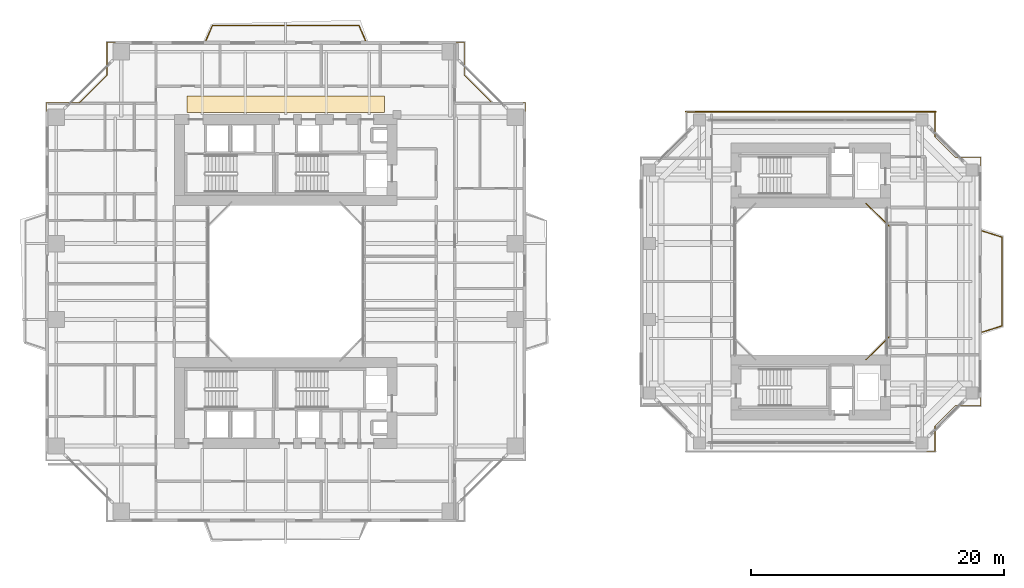
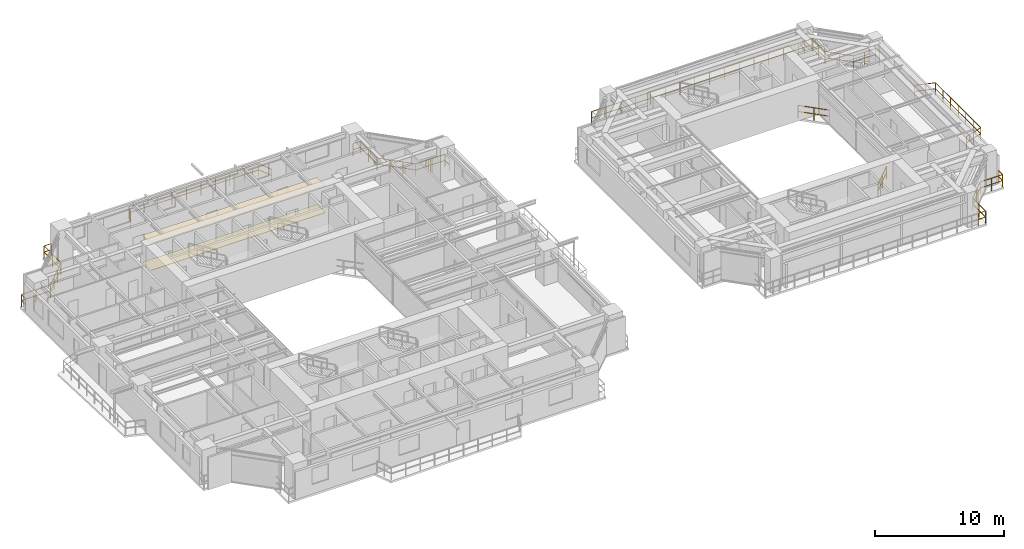
# One storey, part 23 of 23: 9 railings, 2 coverings.
"""IFC4 building model written with IfcOpenShell, lengths in metres."""

from ifc_helpers import new_model, si_unit, direction, frame, origin, origin_2d, place, context, subcontext, project, spatial, polyline, rectangle, outline, extrude, material, layer, layer_set, type_object, element, save


model = new_model("IFC4")

# Units and contexts
model_context = context("Model", 3, precision=1e-05, world=origin(), true_north=direction((0.0, 1.0)))
body_context = subcontext(model_context, "Body", "Model", "MODEL_VIEW")
ifc_project = project(units=[si_unit("LENGTHUNIT", "METRE"), si_unit("AREAUNIT", "SQUARE_METRE"), si_unit("VOLUMEUNIT", "CUBIC_METRE"), si_unit("PLANEANGLEUNIT", "RADIAN"), si_unit("MASSUNIT", "GRAM", prefix="KILO"), si_unit("THERMODYNAMICTEMPERATUREUNIT", "KELVIN"), si_unit("POWERUNIT", "WATT")], contexts=[model_context])

# Site, building, storey
site_placement = place(None, origin())
site = spatial("IfcSite", under=ifc_project, at=site_placement, CompositionType="ELEMENT")
building_placement = place(site_placement, origin())
building = spatial("IfcBuilding", under=site, at=building_placement, Name="Qiaomeng Ring Towers", CompositionType="ELEMENT")
storey_placement = place(building_placement, frame((0.0, 0.0, 66.5)))
storey = spatial("IfcBuildingStorey", under=building, at=storey_placement, Name="L18", CompositionType="ELEMENT", Elevation=66.5)

# Coverings
ifc_material_1 = material(Name="Mineral fibre acoustic ceiling tile", Category="gypsum")
ifc_layer_1 = layer(ifc_material_1, 0.02490234375, Name="Mineral fibre acoustic ceiling tile")
ifc_layer_set_1 = layer_set([ifc_layer_1], Name="Mineral fibre acoustic ceiling tile")
covering_type_1 = type_object("IfcCoveringType", Name="ARC-COV-CEIL1", PredefinedType="CEILING", material=ifc_layer_set_1)
covering_1_placement = place(storey_placement, frame((0.0, 0.0, 2.550048828125)))
element("IfcCovering", 1, at=covering_1_placement, inside=storey, type_object=covering_type_1, Name="L18 Corridor Acoustic Ceiling", PredefinedType="CEILING", context=body_context, shape_type="SweptSolid", body=[
    extrude(outline(polyline([(11.199951171875, 36.35009765625), (11.199951171875, 37.64990234375), (26.800048828125, 37.64990234375), (26.800048828125, 36.35009765625), (11.199951171875, 36.35009765625)])), origin(), (0.0, 0.0, 1.0), 0.02490234375),
])
ifc_material_2 = material(Name="Vitrified porcelain floor tile", Category="ceramic")
ifc_layer_2 = layer(ifc_material_2, 0.02001953125, Name="Vitrified porcelain floor tile")
ifc_layer_set_2 = layer_set([ifc_layer_2], Name="Vitrified porcelain floor tile")
covering_type_2 = type_object("IfcCoveringType", Name="ARC-COV-FLR1", PredefinedType="FLOORING", material=ifc_layer_set_2)
covering_2_placement = place(storey_placement, origin())
element("IfcCovering", 2, at=covering_2_placement, inside=storey, type_object=covering_type_2, Name="L18 Corridor Stone Flooring", PredefinedType="FLOORING", context=body_context, shape_type="SweptSolid", body=[
    extrude(outline(polyline([(11.199951171875, 36.35009765625), (11.199951171875, 37.64990234375), (26.800048828125, 37.64990234375), (26.800048828125, 36.35009765625), (11.199951171875, 36.35009765625)])), origin(), (0.0, 0.0, 1.0), 0.02001953125),
])

# Railings
ifc_material_3 = material(Name="Low-E pale-green laminated safety glass", Category="glass")
railing_type = type_object("IfcRailingType", Name="ARC-RL-BAL1", PredefinedType="BALUSTRADE", material=ifc_material_3)
railing_1_placement = place(storey_placement, frame((37.919921875, 36.469970703125, 0.0)))
element("IfcRailing", 3, at=railing_1_placement, inside=storey, type_object=railing_type, Name="L18 Balustrade ARC-BAL-NOTCH1-L18-NE", PredefinedType="BALUSTRADE", context=body_context, shape_type="SweptSolid", body=[
    extrude(rectangle(XDim=0.048095703125, YDim=0.048095703125, at=origin_2d()), frame((0.0, 0.0, 1.17578125), z_axis=(0.0, 1.0, 0.0), x_axis=(-1.0, 0.0, 0.0)), (0.0, 0.0, 1.0), 0.650146484375),
    extrude(rectangle(XDim=0.048095703125, YDim=0.048095703125, at=origin_2d()), frame((0.0, 0.0, 0.60009765625), z_axis=(0.0, 1.0, 0.0), x_axis=(-1.0, 0.0, 0.0)), (0.0, 0.0, 1.0), 0.650146484375),
    extrude(rectangle(XDim=0.048095703125, YDim=0.048095703125, at=origin_2d()), frame((0.0, 0.650146484375, 1.17578125), z_axis=(-1.0, 0.0, 0.0), x_axis=(0.0, -1.0, 0.0)), (0.0, 0.0, 1.0), 2.599853515625),
    extrude(rectangle(XDim=0.048095703125, YDim=0.048095703125, at=origin_2d()), frame((0.0, 0.650146484375, 0.60009765625), z_axis=(-1.0, 0.0, 0.0), x_axis=(0.0, -1.0, 0.0)), (0.0, 0.0, 1.0), 2.599853515625),
    extrude(rectangle(XDim=0.048095703125, YDim=0.048095703125, at=origin_2d()), frame((-2.599853515625, 0.650146484375, 1.17578125), z_axis=(-0.707106781187, 0.707106781187, 0.0), x_axis=(-0.707106781187, -0.707106781187, 0.0)), (0.0, 0.0, 1.0), 3.111083984375),
    extrude(rectangle(XDim=0.048095703125, YDim=0.048095703125, at=origin_2d()), frame((-2.599853515625, 0.650146484375, 0.60009765625), z_axis=(-0.707106781187, 0.707106781187, 0.0), x_axis=(-0.707106781187, -0.707106781187, 0.0)), (0.0, 0.0, 1.0), 3.111083984375),
    extrude(rectangle(XDim=0.048095703125, YDim=0.048095703125, at=origin_2d()), frame((-4.7998046875, 2.85009765625, 1.17578125), z_axis=(0.0, 1.0, 0.0), x_axis=(-1.0, 0.0, 0.0)), (0.0, 0.0, 1.0), 2.599853515625),
    extrude(rectangle(XDim=0.048095703125, YDim=0.048095703125, at=origin_2d()), frame((-4.7998046875, 2.85009765625, 0.60009765625), z_axis=(0.0, 1.0, 0.0), x_axis=(-1.0, 0.0, 0.0)), (0.0, 0.0, 1.0), 2.599853515625),
    extrude(rectangle(XDim=0.048095703125, YDim=0.048095703125, at=origin_2d()), frame((-4.7998046875, 5.449951171875, 1.17578125), z_axis=(-1.0, 0.0, 0.0), x_axis=(0.0, -1.0, 0.0)), (0.0, 0.0, 1.0), 0.650146484375),
    extrude(rectangle(XDim=0.048095703125, YDim=0.048095703125, at=origin_2d()), frame((-4.7998046875, 5.449951171875, 0.60009765625), z_axis=(-1.0, 0.0, 0.0), x_axis=(0.0, -1.0, 0.0)), (0.0, 0.0, 1.0), 0.650146484375),
    extrude(rectangle(XDim=0.0419921875, YDim=0.0419921875, at=origin_2d()), origin(), (0.0, 0.0, 1.0), 1.15185546875),
    extrude(rectangle(XDim=0.0419921875, YDim=0.0419921875, at=origin_2d()), frame((0.0, 0.650146484375, 0.0)), (0.0, 0.0, 1.0), 1.15185546875),
    extrude(rectangle(XDim=0.0419921875, YDim=0.0419921875, at=origin_2d()), frame((-1.2998046875, 0.650146484375, 0.0)), (0.0, 0.0, 1.0), 1.15185546875),
    extrude(rectangle(XDim=0.0419921875, YDim=0.0419921875, at=origin_2d()), frame((-2.599853515625, 0.650146484375, 0.0)), (0.0, 0.0, 1.0), 1.15185546875),
    extrude(rectangle(XDim=0.0419921875, YDim=0.0419921875, at=origin_2d()), frame((-3.333251953125, 1.383544921875, 0.0)), (0.0, 0.0, 1.0), 1.15185546875),
    extrude(rectangle(XDim=0.0419921875, YDim=0.0419921875, at=origin_2d()), frame((-4.06640625, 2.11669921875, 0.0)), (0.0, 0.0, 1.0), 1.15185546875),
    extrude(rectangle(XDim=0.0419921875, YDim=0.0419921875, at=origin_2d()), frame((-4.7998046875, 2.85009765625, 0.0)), (0.0, 0.0, 1.0), 1.15185546875),
    extrude(rectangle(XDim=0.0419921875, YDim=0.0419921875, at=origin_2d()), frame((-4.7998046875, 4.14990234375, 0.0)), (0.0, 0.0, 1.0), 1.15185546875),
    extrude(rectangle(XDim=0.0419921875, YDim=0.0419921875, at=origin_2d()), frame((-4.7998046875, 5.449951171875, 0.0)), (0.0, 0.0, 1.0), 1.15185546875),
    extrude(rectangle(XDim=0.0419921875, YDim=0.0419921875, at=origin_2d()), frame((-5.449951171875, 5.449951171875, 0.0)), (0.0, 0.0, 1.0), 1.15185546875),
])
railing_2_placement = place(storey_placement, frame((5.530029296875, 41.919921875, 0.0)))
element("IfcRailing", 4, at=railing_2_placement, inside=storey, type_object=railing_type, Name="L18 Balustrade ARC-BAL-NOTCH1-L18-NW", PredefinedType="BALUSTRADE", context=body_context, shape_type="SweptSolid", body=[
    extrude(rectangle(XDim=0.048095703125, YDim=0.048095703125, at=origin_2d()), frame((0.0, 0.0, 1.17578125), z_axis=(-1.0, 0.0, 0.0), x_axis=(0.0, -1.0, 0.0)), (0.0, 0.0, 1.0), 0.650146484375),
    extrude(rectangle(XDim=0.048095703125, YDim=0.048095703125, at=origin_2d()), frame((0.0, 0.0, 0.60009765625), z_axis=(-1.0, 0.0, 0.0), x_axis=(0.0, -1.0, 0.0)), (0.0, 0.0, 1.0), 0.650146484375),
    extrude(rectangle(XDim=0.048095703125, YDim=0.048095703125, at=origin_2d()), frame((-0.650146484375, 0.0, 1.17578125), z_axis=(0.0, -1.0, 0.0), x_axis=(1.0, 0.0, 0.0)), (0.0, 0.0, 1.0), 2.599853515625),
    extrude(rectangle(XDim=0.048095703125, YDim=0.048095703125, at=origin_2d()), frame((-0.650146484375, 0.0, 0.60009765625), z_axis=(0.0, -1.0, 0.0), x_axis=(1.0, 0.0, 0.0)), (0.0, 0.0, 1.0), 2.599853515625),
    extrude(rectangle(XDim=0.048095703125, YDim=0.048095703125, at=origin_2d()), frame((-0.650146484375, -2.599853515625, 1.17578125), z_axis=(-0.707106781187, -0.707106781187, 0.0), x_axis=(0.707106781187, -0.707106781187, 0.0)), (0.0, 0.0, 1.0), 3.111083984375),
    extrude(rectangle(XDim=0.048095703125, YDim=0.048095703125, at=origin_2d()), frame((-0.650146484375, -2.599853515625, 0.60009765625), z_axis=(-0.707106781187, -0.707106781187, 0.0), x_axis=(0.707106781187, -0.707106781187, 0.0)), (0.0, 0.0, 1.0), 3.111083984375),
    extrude(rectangle(XDim=0.048095703125, YDim=0.048095703125, at=origin_2d()), frame((-2.85009765625, -4.7998046875, 1.17578125), z_axis=(-1.0, 0.0, 0.0), x_axis=(0.0, -1.0, 0.0)), (0.0, 0.0, 1.0), 2.599853515625),
    extrude(rectangle(XDim=0.048095703125, YDim=0.048095703125, at=origin_2d()), frame((-2.85009765625, -4.7998046875, 0.60009765625), z_axis=(-1.0, 0.0, 0.0), x_axis=(0.0, -1.0, 0.0)), (0.0, 0.0, 1.0), 2.599853515625),
    extrude(rectangle(XDim=0.048095703125, YDim=0.048095703125, at=origin_2d()), frame((-5.449951171875, -4.7998046875, 1.17578125), z_axis=(0.0, -1.0, 0.0), x_axis=(1.0, 0.0, 0.0)), (0.0, 0.0, 1.0), 0.650146484375),
    extrude(rectangle(XDim=0.048095703125, YDim=0.048095703125, at=origin_2d()), frame((-5.449951171875, -4.7998046875, 0.60009765625), z_axis=(0.0, -1.0, 0.0), x_axis=(1.0, 0.0, 0.0)), (0.0, 0.0, 1.0), 0.650146484375),
    extrude(rectangle(XDim=0.0419921875, YDim=0.0419921875, at=origin_2d()), origin(), (0.0, 0.0, 1.0), 1.15185546875),
    extrude(rectangle(XDim=0.0419921875, YDim=0.0419921875, at=origin_2d()), frame((-0.650146484375, 0.0, 0.0)), (0.0, 0.0, 1.0), 1.15185546875),
    extrude(rectangle(XDim=0.0419921875, YDim=0.0419921875, at=origin_2d()), frame((-0.650146484375, -1.2998046875, 0.0)), (0.0, 0.0, 1.0), 1.15185546875),
    extrude(rectangle(XDim=0.0419921875, YDim=0.0419921875, at=origin_2d()), frame((-0.650146484375, -2.599853515625, 0.0)), (0.0, 0.0, 1.0), 1.15185546875),
    extrude(rectangle(XDim=0.0419921875, YDim=0.0419921875, at=origin_2d()), frame((-1.383544921875, -3.333251953125, 0.0)), (0.0, 0.0, 1.0), 1.15185546875),
    extrude(rectangle(XDim=0.0419921875, YDim=0.0419921875, at=origin_2d()), frame((-2.11669921875, -4.06640625, 0.0)), (0.0, 0.0, 1.0), 1.15185546875),
    extrude(rectangle(XDim=0.0419921875, YDim=0.0419921875, at=origin_2d()), frame((-2.85009765625, -4.7998046875, 0.0)), (0.0, 0.0, 1.0), 1.15185546875),
    extrude(rectangle(XDim=0.0419921875, YDim=0.0419921875, at=origin_2d()), frame((-4.14990234375, -4.7998046875, 0.0)), (0.0, 0.0, 1.0), 1.15185546875),
    extrude(rectangle(XDim=0.0419921875, YDim=0.0419921875, at=origin_2d()), frame((-5.449951171875, -4.7998046875, 0.0)), (0.0, 0.0, 1.0), 1.15185546875),
    extrude(rectangle(XDim=0.0419921875, YDim=0.0419921875, at=origin_2d()), frame((-5.449951171875, -5.449951171875, 0.0)), (0.0, 0.0, 1.0), 1.15185546875),
])
railing_3_placement = place(storey_placement, frame((12.699951171875, 42.050048828125, 0.0)))
element("IfcRailing", 5, at=railing_3_placement, inside=storey, type_object=railing_type, Name="L18 Balustrade ARC-BAL-L18-T1-N", PredefinedType="BALUSTRADE", context=body_context, shape_type="SweptSolid", body=[
    extrude(rectangle(XDim=0.048095703125, YDim=0.048095703125, at=origin_2d()), frame((0.0, 0.0, 1.17578125), z_axis=(0.39299272826, 0.919541579014, 0.0), x_axis=(-0.919541579014, 0.39299272826, 0.0)), (0.0, 0.0, 1.0), 1.272216796875),
    extrude(rectangle(XDim=0.048095703125, YDim=0.048095703125, at=origin_2d()), frame((0.0, 0.0, 0.60009765625), z_axis=(0.39299272826, 0.919541579014, 0.0), x_axis=(-0.919541579014, 0.39299272826, 0.0)), (0.0, 0.0, 1.0), 1.272216796875),
    extrude(rectangle(XDim=0.048095703125, YDim=0.048095703125, at=origin_2d()), frame((0.5, 1.169921875, 1.17578125), z_axis=(1.0, 0.0, 0.0), x_axis=(0.0, 1.0, 0.0)), (0.0, 0.0, 1.0), 11.60009765625),
    extrude(rectangle(XDim=0.048095703125, YDim=0.048095703125, at=origin_2d()), frame((0.5, 1.169921875, 0.60009765625), z_axis=(1.0, 0.0, 0.0), x_axis=(0.0, 1.0, 0.0)), (0.0, 0.0, 1.0), 11.60009765625),
    extrude(rectangle(XDim=0.048095703125, YDim=0.048095703125, at=origin_2d()), frame((12.10009765625, 1.169921875, 1.17578125), z_axis=(0.39299272826, -0.919541579014, 0.0), x_axis=(0.919541579014, 0.39299272826, 0.0)), (0.0, 0.0, 1.0), 1.272216796875),
    extrude(rectangle(XDim=0.048095703125, YDim=0.048095703125, at=origin_2d()), frame((12.10009765625, 1.169921875, 0.60009765625), z_axis=(0.39299272826, -0.919541579014, 0.0), x_axis=(0.919541579014, 0.39299272826, 0.0)), (0.0, 0.0, 1.0), 1.272216796875),
    extrude(rectangle(XDim=0.0419921875, YDim=0.0419921875, at=origin_2d()), origin(), (0.0, 0.0, 1.0), 1.15185546875),
    extrude(rectangle(XDim=0.0419921875, YDim=0.0419921875, at=origin_2d()), frame((0.5, 1.169921875, 0.0)), (0.0, 0.0, 1.0), 1.15185546875),
    extrude(rectangle(XDim=0.0419921875, YDim=0.0419921875, at=origin_2d()), frame((1.788818359375, 1.169921875, 0.0)), (0.0, 0.0, 1.0), 1.15185546875),
    extrude(rectangle(XDim=0.0419921875, YDim=0.0419921875, at=origin_2d()), frame((3.077880859375, 1.169921875, 0.0)), (0.0, 0.0, 1.0), 1.15185546875),
    extrude(rectangle(XDim=0.0419921875, YDim=0.0419921875, at=origin_2d()), frame((4.36669921875, 1.169921875, 0.0)), (0.0, 0.0, 1.0), 1.15185546875),
    extrude(rectangle(XDim=0.0419921875, YDim=0.0419921875, at=origin_2d()), frame((5.655517578125, 1.169921875, 0.0)), (0.0, 0.0, 1.0), 1.15185546875),
    extrude(rectangle(XDim=0.0419921875, YDim=0.0419921875, at=origin_2d()), frame((6.944580078125, 1.169921875, 0.0)), (0.0, 0.0, 1.0), 1.15185546875),
    extrude(rectangle(XDim=0.0419921875, YDim=0.0419921875, at=origin_2d()), frame((8.2333984375, 1.169921875, 0.0)), (0.0, 0.0, 1.0), 1.15185546875),
    extrude(rectangle(XDim=0.0419921875, YDim=0.0419921875, at=origin_2d()), frame((9.522216796875, 1.169921875, 0.0)), (0.0, 0.0, 1.0), 1.15185546875),
    extrude(rectangle(XDim=0.0419921875, YDim=0.0419921875, at=origin_2d()), frame((10.811279296875, 1.169921875, 0.0)), (0.0, 0.0, 1.0), 1.15185546875),
    extrude(rectangle(XDim=0.0419921875, YDim=0.0419921875, at=origin_2d()), frame((12.10009765625, 1.169921875, 0.0)), (0.0, 0.0, 1.0), 1.15185546875),
    extrude(rectangle(XDim=0.0419921875, YDim=0.0419921875, at=origin_2d()), frame((12.60009765625, 0.0, 0.0)), (0.0, 0.0, 1.0), 1.15185546875),
])
railing_4_placement = place(storey_placement, frame((64.8798828125, 16.820068359375, 0.0)))
element("IfcRailing", 6, at=railing_4_placement, inside=storey, type_object=railing_type, Name="L18 Balustrade ARC-BAL-WELL2-L18-1", PredefinedType="BALUSTRADE", context=body_context, shape_type="SweptSolid", body=[
    extrude(rectangle(XDim=0.048095703125, YDim=0.048095703125, at=origin_2d()), frame((0.0, 0.0, 1.17578125), z_axis=(0.707106781187, 0.707106781187, 0.0), x_axis=(-0.707106781187, 0.707106781187, 0.0)), (0.0, 0.0, 1.0), 2.545654296875),
    extrude(rectangle(XDim=0.048095703125, YDim=0.048095703125, at=origin_2d()), frame((0.0, 0.0, 0.60009765625), z_axis=(0.707106781187, 0.707106781187, 0.0), x_axis=(-0.707106781187, 0.707106781187, 0.0)), (0.0, 0.0, 1.0), 2.545654296875),
    extrude(rectangle(XDim=0.0419921875, YDim=0.0419921875, at=origin_2d()), origin(), (0.0, 0.0, 1.0), 1.15185546875),
    extrude(rectangle(XDim=0.0419921875, YDim=0.0419921875, at=origin_2d()), frame((0.89990234375, 0.89990234375, 0.0)), (0.0, 0.0, 1.0), 1.15185546875),
    extrude(rectangle(XDim=0.0419921875, YDim=0.0419921875, at=origin_2d()), frame((1.800048828125, 1.800048828125, 0.0)), (0.0, 0.0, 1.0), 1.15185546875),
])
railing_5_placement = place(storey_placement, frame((66.679931640625, 27.3798828125, 0.0)))
element("IfcRailing", 7, at=railing_5_placement, inside=storey, type_object=railing_type, Name="L18 Balustrade ARC-BAL-WELL2-L18-2", PredefinedType="BALUSTRADE", context=body_context, shape_type="SweptSolid", body=[
    extrude(rectangle(XDim=0.048095703125, YDim=0.048095703125, at=origin_2d()), frame((0.0, 0.0, 1.17578125), z_axis=(-0.707106781187, 0.707106781187, 0.0), x_axis=(-0.707106781187, -0.707106781187, 0.0)), (0.0, 0.0, 1.0), 2.545654296875),
    extrude(rectangle(XDim=0.048095703125, YDim=0.048095703125, at=origin_2d()), frame((0.0, 0.0, 0.60009765625), z_axis=(-0.707106781187, 0.707106781187, 0.0), x_axis=(-0.707106781187, -0.707106781187, 0.0)), (0.0, 0.0, 1.0), 2.545654296875),
    extrude(rectangle(XDim=0.0419921875, YDim=0.0419921875, at=origin_2d()), origin(), (0.0, 0.0, 1.0), 1.15185546875),
    extrude(rectangle(XDim=0.0419921875, YDim=0.0419921875, at=origin_2d()), frame((-0.89990234375, 0.89990234375, 0.0)), (0.0, 0.0, 1.0), 1.15185546875),
    extrude(rectangle(XDim=0.0419921875, YDim=0.0419921875, at=origin_2d()), frame((-1.800048828125, 1.800048828125, 0.0)), (0.0, 0.0, 1.0), 1.15185546875),
])
railing_6_placement = place(storey_placement, frame((69.669921875, 9.580078125, 0.0)))
element("IfcRailing", 8, at=railing_6_placement, inside=storey, type_object=railing_type, Name="L18 Balustrade ARC-BAL-NOTCH2-L18-SE", PredefinedType="BALUSTRADE", context=body_context, shape_type="SweptSolid", body=[
    extrude(rectangle(XDim=0.048095703125, YDim=0.048095703125, at=origin_2d()), frame((0.0, 0.0, 1.17578125), z_axis=(1.0, 0.0, 0.0), x_axis=(0.0, 1.0, 0.0)), (0.0, 0.0, 1.0), 0.650146484375),
    extrude(rectangle(XDim=0.048095703125, YDim=0.048095703125, at=origin_2d()), frame((0.0, 0.0, 0.60009765625), z_axis=(1.0, 0.0, 0.0), x_axis=(0.0, 1.0, 0.0)), (0.0, 0.0, 1.0), 0.650146484375),
    extrude(rectangle(XDim=0.048095703125, YDim=0.048095703125, at=origin_2d()), frame((0.650146484375, 0.0, 1.17578125), z_axis=(0.0, 1.0, 0.0), x_axis=(-1.0, 0.0, 0.0)), (0.0, 0.0, 1.0), 2.0),
    extrude(rectangle(XDim=0.048095703125, YDim=0.048095703125, at=origin_2d()), frame((0.650146484375, 0.0, 0.60009765625), z_axis=(0.0, 1.0, 0.0), x_axis=(-1.0, 0.0, 0.0)), (0.0, 0.0, 1.0), 2.0),
    extrude(rectangle(XDim=0.048095703125, YDim=0.048095703125, at=origin_2d()), frame((0.650146484375, 2.0, 1.17578125), z_axis=(0.707106781187, 0.707106781187, 0.0), x_axis=(-0.707106781187, 0.707106781187, 0.0)), (0.0, 0.0, 1.0), 2.262451171875),
    extrude(rectangle(XDim=0.048095703125, YDim=0.048095703125, at=origin_2d()), frame((0.650146484375, 2.0, 0.60009765625), z_axis=(0.707106781187, 0.707106781187, 0.0), x_axis=(-0.707106781187, 0.707106781187, 0.0)), (0.0, 0.0, 1.0), 2.262451171875),
    extrude(rectangle(XDim=0.048095703125, YDim=0.048095703125, at=origin_2d()), frame((2.25, 3.599853515625, 1.17578125), z_axis=(1.0, 0.0, 0.0), x_axis=(0.0, 1.0, 0.0)), (0.0, 0.0, 1.0), 2.0),
    extrude(rectangle(XDim=0.048095703125, YDim=0.048095703125, at=origin_2d()), frame((2.25, 3.599853515625, 0.60009765625), z_axis=(1.0, 0.0, 0.0), x_axis=(0.0, 1.0, 0.0)), (0.0, 0.0, 1.0), 2.0),
    extrude(rectangle(XDim=0.048095703125, YDim=0.048095703125, at=origin_2d()), frame((4.25, 3.599853515625, 1.17578125), z_axis=(0.0, 1.0, 0.0), x_axis=(-1.0, 0.0, 0.0)), (0.0, 0.0, 1.0), 0.650146484375),
    extrude(rectangle(XDim=0.048095703125, YDim=0.048095703125, at=origin_2d()), frame((4.25, 3.599853515625, 0.60009765625), z_axis=(0.0, 1.0, 0.0), x_axis=(-1.0, 0.0, 0.0)), (0.0, 0.0, 1.0), 0.650146484375),
    extrude(rectangle(XDim=0.0419921875, YDim=0.0419921875, at=origin_2d()), origin(), (0.0, 0.0, 1.0), 1.15185546875),
    extrude(rectangle(XDim=0.0419921875, YDim=0.0419921875, at=origin_2d()), frame((0.650146484375, 0.0, 0.0)), (0.0, 0.0, 1.0), 1.15185546875),
    extrude(rectangle(XDim=0.0419921875, YDim=0.0419921875, at=origin_2d()), frame((0.650146484375, 1.0, 0.0)), (0.0, 0.0, 1.0), 1.15185546875),
    extrude(rectangle(XDim=0.0419921875, YDim=0.0419921875, at=origin_2d()), frame((0.650146484375, 2.0, 0.0)), (0.0, 0.0, 1.0), 1.15185546875),
    extrude(rectangle(XDim=0.0419921875, YDim=0.0419921875, at=origin_2d()), frame((1.4501953125, 2.7998046875, 0.0)), (0.0, 0.0, 1.0), 1.15185546875),
    extrude(rectangle(XDim=0.0419921875, YDim=0.0419921875, at=origin_2d()), frame((2.25, 3.599853515625, 0.0)), (0.0, 0.0, 1.0), 1.15185546875),
    extrude(rectangle(XDim=0.0419921875, YDim=0.0419921875, at=origin_2d()), frame((3.25, 3.599853515625, 0.0)), (0.0, 0.0, 1.0), 1.15185546875),
    extrude(rectangle(XDim=0.0419921875, YDim=0.0419921875, at=origin_2d()), frame((4.25, 3.599853515625, 0.0)), (0.0, 0.0, 1.0), 1.15185546875),
    extrude(rectangle(XDim=0.0419921875, YDim=0.0419921875, at=origin_2d()), frame((4.25, 4.25, 0.0)), (0.0, 0.0, 1.0), 1.15185546875),
])
railing_7_placement = place(storey_placement, frame((73.919921875, 32.169921875, 0.0)))
element("IfcRailing", 9, at=railing_7_placement, inside=storey, type_object=railing_type, Name="L18 Balustrade ARC-BAL-NOTCH2-L18-NE", PredefinedType="BALUSTRADE", context=body_context, shape_type="SweptSolid", body=[
    extrude(rectangle(XDim=0.048095703125, YDim=0.048095703125, at=origin_2d()), frame((0.0, 0.0, 1.17578125), z_axis=(0.0, 1.0, 0.0), x_axis=(-1.0, 0.0, 0.0)), (0.0, 0.0, 1.0), 0.650146484375),
    extrude(rectangle(XDim=0.048095703125, YDim=0.048095703125, at=origin_2d()), frame((0.0, 0.0, 0.60009765625), z_axis=(0.0, 1.0, 0.0), x_axis=(-1.0, 0.0, 0.0)), (0.0, 0.0, 1.0), 0.650146484375),
    extrude(rectangle(XDim=0.048095703125, YDim=0.048095703125, at=origin_2d()), frame((0.0, 0.650146484375, 1.17578125), z_axis=(-1.0, 0.0, 0.0), x_axis=(0.0, -1.0, 0.0)), (0.0, 0.0, 1.0), 2.0),
    extrude(rectangle(XDim=0.048095703125, YDim=0.048095703125, at=origin_2d()), frame((0.0, 0.650146484375, 0.60009765625), z_axis=(-1.0, 0.0, 0.0), x_axis=(0.0, -1.0, 0.0)), (0.0, 0.0, 1.0), 2.0),
    extrude(rectangle(XDim=0.048095703125, YDim=0.048095703125, at=origin_2d()), frame((-2.0, 0.650146484375, 1.17578125), z_axis=(-0.707106781187, 0.707106781187, 0.0), x_axis=(-0.707106781187, -0.707106781187, 0.0)), (0.0, 0.0, 1.0), 2.262451171875),
    extrude(rectangle(XDim=0.048095703125, YDim=0.048095703125, at=origin_2d()), frame((-2.0, 0.650146484375, 0.60009765625), z_axis=(-0.707106781187, 0.707106781187, 0.0), x_axis=(-0.707106781187, -0.707106781187, 0.0)), (0.0, 0.0, 1.0), 2.262451171875),
    extrude(rectangle(XDim=0.048095703125, YDim=0.048095703125, at=origin_2d()), frame((-3.599853515625, 2.25, 1.17578125), z_axis=(0.0, 1.0, 0.0), x_axis=(-1.0, 0.0, 0.0)), (0.0, 0.0, 1.0), 2.0),
    extrude(rectangle(XDim=0.048095703125, YDim=0.048095703125, at=origin_2d()), frame((-3.599853515625, 2.25, 0.60009765625), z_axis=(0.0, 1.0, 0.0), x_axis=(-1.0, 0.0, 0.0)), (0.0, 0.0, 1.0), 2.0),
    extrude(rectangle(XDim=0.048095703125, YDim=0.048095703125, at=origin_2d()), frame((-3.599853515625, 4.25, 1.17578125), z_axis=(-1.0, 0.0, 0.0), x_axis=(0.0, -1.0, 0.0)), (0.0, 0.0, 1.0), 0.650146484375),
    extrude(rectangle(XDim=0.048095703125, YDim=0.048095703125, at=origin_2d()), frame((-3.599853515625, 4.25, 0.60009765625), z_axis=(-1.0, 0.0, 0.0), x_axis=(0.0, -1.0, 0.0)), (0.0, 0.0, 1.0), 0.650146484375),
    extrude(rectangle(XDim=0.0419921875, YDim=0.0419921875, at=origin_2d()), origin(), (0.0, 0.0, 1.0), 1.15185546875),
    extrude(rectangle(XDim=0.0419921875, YDim=0.0419921875, at=origin_2d()), frame((0.0, 0.650146484375, 0.0)), (0.0, 0.0, 1.0), 1.15185546875),
    extrude(rectangle(XDim=0.0419921875, YDim=0.0419921875, at=origin_2d()), frame((-1.0, 0.650146484375, 0.0)), (0.0, 0.0, 1.0), 1.15185546875),
    extrude(rectangle(XDim=0.0419921875, YDim=0.0419921875, at=origin_2d()), frame((-2.0, 0.650146484375, 0.0)), (0.0, 0.0, 1.0), 1.15185546875),
    extrude(rectangle(XDim=0.0419921875, YDim=0.0419921875, at=origin_2d()), frame((-2.7998046875, 1.4501953125, 0.0)), (0.0, 0.0, 1.0), 1.15185546875),
    extrude(rectangle(XDim=0.0419921875, YDim=0.0419921875, at=origin_2d()), frame((-3.599853515625, 2.25, 0.0)), (0.0, 0.0, 1.0), 1.15185546875),
    extrude(rectangle(XDim=0.0419921875, YDim=0.0419921875, at=origin_2d()), frame((-3.599853515625, 3.25, 0.0)), (0.0, 0.0, 1.0), 1.15185546875),
    extrude(rectangle(XDim=0.0419921875, YDim=0.0419921875, at=origin_2d()), frame((-3.599853515625, 4.25, 0.0)), (0.0, 0.0, 1.0), 1.15185546875),
    extrude(rectangle(XDim=0.0419921875, YDim=0.0419921875, at=origin_2d()), frame((-4.25, 4.25, 0.0)), (0.0, 0.0, 1.0), 1.15185546875),
])
railing_8_placement = place(storey_placement, frame((50.60009765625, 36.419921875, 0.0)))
element("IfcRailing", 10, at=railing_8_placement, inside=storey, type_object=railing_type, Name="L18 Balustrade ARC-BAL-T2N-L18", PredefinedType="BALUSTRADE", context=body_context, shape_type="SweptSolid", body=[
    extrude(rectangle(XDim=0.048095703125, YDim=0.048095703125, at=origin_2d()), frame((0.0, 0.0, 1.17578125), z_axis=(1.0, 0.0, 0.0), x_axis=(0.0, 1.0, 0.0)), (0.0, 0.0, 1.0), 19.7998046875),
    extrude(rectangle(XDim=0.048095703125, YDim=0.048095703125, at=origin_2d()), frame((0.0, 0.0, 0.60009765625), z_axis=(1.0, 0.0, 0.0), x_axis=(0.0, 1.0, 0.0)), (0.0, 0.0, 1.0), 19.7998046875),
    extrude(rectangle(XDim=0.0419921875, YDim=0.0419921875, at=origin_2d()), origin(), (0.0, 0.0, 1.0), 1.15185546875),
    extrude(rectangle(XDim=0.0419921875, YDim=0.0419921875, at=origin_2d()), frame((1.320068359375, 0.0, 0.0)), (0.0, 0.0, 1.0), 1.15185546875),
    extrude(rectangle(XDim=0.0419921875, YDim=0.0419921875, at=origin_2d()), frame((2.639892578125, 0.0, 0.0)), (0.0, 0.0, 1.0), 1.15185546875),
    extrude(rectangle(XDim=0.0419921875, YDim=0.0419921875, at=origin_2d()), frame((3.9599609375, 0.0, 0.0)), (0.0, 0.0, 1.0), 1.15185546875),
    extrude(rectangle(XDim=0.0419921875, YDim=0.0419921875, at=origin_2d()), frame((5.280029296875, 0.0, 0.0)), (0.0, 0.0, 1.0), 1.15185546875),
    extrude(rectangle(XDim=0.0419921875, YDim=0.0419921875, at=origin_2d()), frame((6.599853515625, 0.0, 0.0)), (0.0, 0.0, 1.0), 1.15185546875),
    extrude(rectangle(XDim=0.0419921875, YDim=0.0419921875, at=origin_2d()), frame((7.919921875, 0.0, 0.0)), (0.0, 0.0, 1.0), 1.15185546875),
    extrude(rectangle(XDim=0.0419921875, YDim=0.0419921875, at=origin_2d()), frame((9.239990234375, 0.0, 0.0)), (0.0, 0.0, 1.0), 1.15185546875),
    extrude(rectangle(XDim=0.0419921875, YDim=0.0419921875, at=origin_2d()), frame((10.559814453125, 0.0, 0.0)), (0.0, 0.0, 1.0), 1.15185546875),
    extrude(rectangle(XDim=0.0419921875, YDim=0.0419921875, at=origin_2d()), frame((11.8798828125, 0.0, 0.0)), (0.0, 0.0, 1.0), 1.15185546875),
    extrude(rectangle(XDim=0.0419921875, YDim=0.0419921875, at=origin_2d()), frame((13.199951171875, 0.0, 0.0)), (0.0, 0.0, 1.0), 1.15185546875),
    extrude(rectangle(XDim=0.0419921875, YDim=0.0419921875, at=origin_2d()), frame((14.519775390625, 0.0, 0.0)), (0.0, 0.0, 1.0), 1.15185546875),
    extrude(rectangle(XDim=0.0419921875, YDim=0.0419921875, at=origin_2d()), frame((15.83984375, 0.0, 0.0)), (0.0, 0.0, 1.0), 1.15185546875),
    extrude(rectangle(XDim=0.0419921875, YDim=0.0419921875, at=origin_2d()), frame((17.159912109375, 0.0, 0.0)), (0.0, 0.0, 1.0), 1.15185546875),
    extrude(rectangle(XDim=0.0419921875, YDim=0.0419921875, at=origin_2d()), frame((18.479736328125, 0.0, 0.0)), (0.0, 0.0, 1.0), 1.15185546875),
    extrude(rectangle(XDim=0.0419921875, YDim=0.0419921875, at=origin_2d()), frame((19.7998046875, 0.0, 0.0)), (0.0, 0.0, 1.0), 1.15185546875),
])
railing_9_placement = place(storey_placement, frame((74.050048828125, 19.0, 0.0)))
element("IfcRailing", 11, at=railing_9_placement, inside=storey, type_object=railing_type, Name="L18 Balustrade ARC-BAL-L18-T2-E", PredefinedType="BALUSTRADE", context=body_context, shape_type="SweptSolid", body=[
    extrude(rectangle(XDim=0.048095703125, YDim=0.048095703125, at=origin_2d()), frame((0.0, 0.0, 1.17578125), z_axis=(0.952849860715, 0.303442157479, 0.0), x_axis=(-0.303442157479, 0.952849860715, 0.0)), (0.0, 0.0, 1.0), 1.647705078125),
    extrude(rectangle(XDim=0.048095703125, YDim=0.048095703125, at=origin_2d()), frame((0.0, 0.0, 0.60009765625), z_axis=(0.952849860715, 0.303442157479, 0.0), x_axis=(-0.303442157479, 0.952849860715, 0.0)), (0.0, 0.0, 1.0), 1.647705078125),
    extrude(rectangle(XDim=0.048095703125, YDim=0.048095703125, at=origin_2d()), frame((1.570068359375, 0.5, 1.17578125), z_axis=(0.0, 1.0, 0.0), x_axis=(-1.0, 0.0, 0.0)), (0.0, 0.0, 1.0), 7.0),
    extrude(rectangle(XDim=0.048095703125, YDim=0.048095703125, at=origin_2d()), frame((1.570068359375, 0.5, 0.60009765625), z_axis=(0.0, 1.0, 0.0), x_axis=(-1.0, 0.0, 0.0)), (0.0, 0.0, 1.0), 7.0),
    extrude(rectangle(XDim=0.048095703125, YDim=0.048095703125, at=origin_2d()), frame((1.570068359375, 7.5, 1.17578125), z_axis=(-0.952849860715, 0.303442157479, 0.0), x_axis=(-0.303442157479, -0.952849860715, 0.0)), (0.0, 0.0, 1.0), 1.647705078125),
    extrude(rectangle(XDim=0.048095703125, YDim=0.048095703125, at=origin_2d()), frame((1.570068359375, 7.5, 0.60009765625), z_axis=(-0.952849860715, 0.303442157479, 0.0), x_axis=(-0.303442157479, -0.952849860715, 0.0)), (0.0, 0.0, 1.0), 1.647705078125),
    extrude(rectangle(XDim=0.0419921875, YDim=0.0419921875, at=origin_2d()), origin(), (0.0, 0.0, 1.0), 1.15185546875),
    extrude(rectangle(XDim=0.0419921875, YDim=0.0419921875, at=origin_2d()), frame((0.78515625, 0.25, 0.0)), (0.0, 0.0, 1.0), 1.15185546875),
    extrude(rectangle(XDim=0.0419921875, YDim=0.0419921875, at=origin_2d()), frame((1.570068359375, 0.5, 0.0)), (0.0, 0.0, 1.0), 1.15185546875),
    extrude(rectangle(XDim=0.0419921875, YDim=0.0419921875, at=origin_2d()), frame((1.570068359375, 1.666748046875, 0.0)), (0.0, 0.0, 1.0), 1.15185546875),
    extrude(rectangle(XDim=0.0419921875, YDim=0.0419921875, at=origin_2d()), frame((1.570068359375, 2.833251953125, 0.0)), (0.0, 0.0, 1.0), 1.15185546875),
    extrude(rectangle(XDim=0.0419921875, YDim=0.0419921875, at=origin_2d()), frame((1.570068359375, 4.0, 0.0)), (0.0, 0.0, 1.0), 1.15185546875),
    extrude(rectangle(XDim=0.0419921875, YDim=0.0419921875, at=origin_2d()), frame((1.570068359375, 5.166748046875, 0.0)), (0.0, 0.0, 1.0), 1.15185546875),
    extrude(rectangle(XDim=0.0419921875, YDim=0.0419921875, at=origin_2d()), frame((1.570068359375, 6.333251953125, 0.0)), (0.0, 0.0, 1.0), 1.15185546875),
    extrude(rectangle(XDim=0.0419921875, YDim=0.0419921875, at=origin_2d()), frame((1.570068359375, 7.5, 0.0)), (0.0, 0.0, 1.0), 1.15185546875),
    extrude(rectangle(XDim=0.0419921875, YDim=0.0419921875, at=origin_2d()), frame((0.78515625, 7.75, 0.0)), (0.0, 0.0, 1.0), 1.15185546875),
    extrude(rectangle(XDim=0.0419921875, YDim=0.0419921875, at=origin_2d()), frame((0.0, 8.0, 0.0)), (0.0, 0.0, 1.0), 1.15185546875),
])

save(model, "model.ifc")
